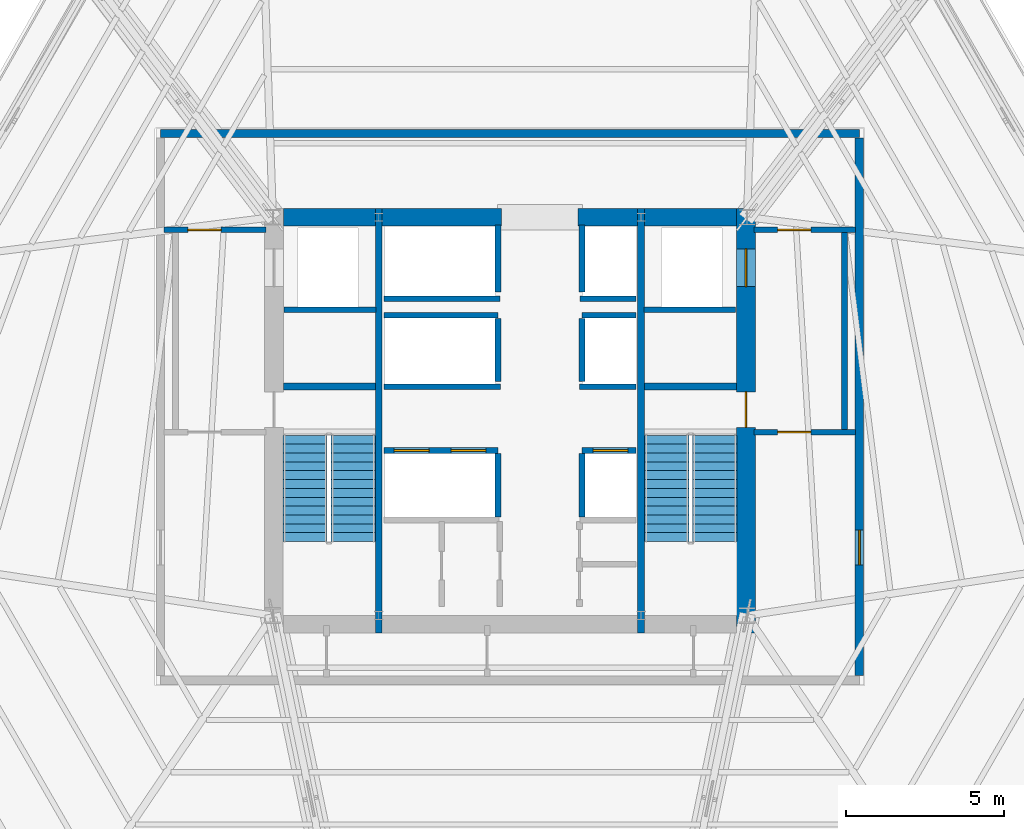
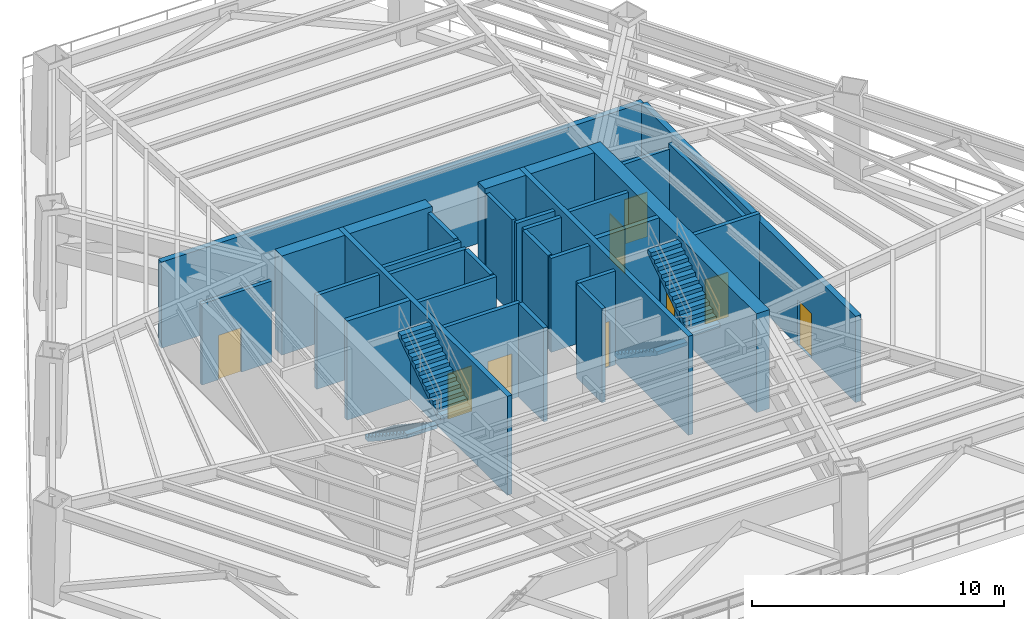
# One storey, part 8 of 13: 31 walls, 9 doors, 4 stair flights, 9 openings, 2 elements without a shape of their own.
"""IFC4 building model written with IfcOpenShell, lengths in metres."""

import ifcopenshell
import ifcopenshell.guid

model = None  # the IFC model being written
_history = None  # IfcOwnerHistory: only IFC2X3 demands one
_inside = {}  # id of a spatial element -> (the spatial element, [elements in it])
_under = {}  # id of a project, library or spatial element -> (it, [spatial elements below it])
_declared = {}  # id of a project -> (the project, [libraries it declares])
_typed = {}  # id of a type object -> (the type object, [elements of that type])
_made_of = {}  # id of a material, layer set ... -> (it, [elements and type objects made of it])


def new_model(schema):
    """Start an empty IFC model of exactly this schema.

    Asked for "IFC4X3", IfcOpenShell would pick the latest addendum, in which some entities
    have other attributes; the version numbers below select the first issue.
    IFC2X3 requires an IfcOwnerHistory on every rooted entity: one is made here for all.
    """
    global model, _history
    if schema == "IFC4X3":
        model = ifcopenshell.file(schema_version=(4, 3, 0, 0))
    else:
        model = ifcopenshell.file(schema=schema)
    _inside.clear()
    _under.clear()
    _declared.clear()
    _typed.clear()
    _made_of.clear()
    _history = None
    if model.schema == "IFC2X3":
        org = make("IfcOrganization", Name="unknown")
        user = make(
            "IfcPersonAndOrganization",
            ThePerson=make("IfcPerson", FamilyName="unknown"),
            TheOrganization=org,
        )
        app = make(
            "IfcApplication",
            ApplicationDeveloper=org,
            Version="unknown",
            ApplicationFullName="unknown",
            ApplicationIdentifier="unknown",
        )
        _history = make(
            "IfcOwnerHistory",
            OwningUser=user,
            OwningApplication=app,
            ChangeAction="ADDED",
            CreationDate=0,
        )
    return model


def make(cls, **values):
    """One entity of the class cls with the attributes given. An attribute that is None is left unset."""
    return model.create_entity(
        cls, **{name: value for name, value in values.items() if value is not None}
    )


def rooted(cls, **values):
    """An entity with a GlobalId (a new one), such as an element, a storey or a relation."""
    return make(cls, GlobalId=ifcopenshell.guid.new(), OwnerHistory=_history, **values)


def si_unit(unit_type, name, prefix=None):
    """IfcSIUnit, for example si_unit("LENGTHUNIT", "METRE", prefix="MILLI")."""
    return make("IfcSIUnit", UnitType=unit_type, Prefix=prefix, Name=name)


def assignment(units):
    """IfcUnitAssignment: the units of a project."""
    return None if units is None else make("IfcUnitAssignment", Units=units)


def point(xyz):
    """IfcCartesianPoint."""
    return None if xyz is None else make("IfcCartesianPoint", Coordinates=xyz)


def direction(xyz):
    """IfcDirection."""
    return None if xyz is None else make("IfcDirection", DirectionRatios=xyz)


def frame(location, z_axis=None, x_axis=None):
    """IfcAxis2Placement3D, a coordinate frame: its origin and axes. An axis left out is left unset."""
    return make(
        "IfcAxis2Placement3D",
        Location=point(location),
        Axis=direction(z_axis),
        RefDirection=direction(x_axis),
    )


def frame_2d(location, x_axis=None):
    """IfcAxis2Placement2D, a coordinate frame in the plane: its origin and x axis."""
    return make(
        "IfcAxis2Placement2D", Location=point(location), RefDirection=direction(x_axis)
    )


def origin():
    """The frame at (0, 0, 0) with its axes left unset."""
    return frame((0.0, 0.0, 0.0))


def place(relative_to, where):
    """IfcLocalPlacement: puts the frame where relative to a parent placement (None: the world)."""
    return make(
        "IfcLocalPlacement", PlacementRelTo=relative_to, RelativePlacement=where
    )


def context(
    kind, dimensions, precision=None, world=None, true_north=None, identifier=None
):
    """IfcGeometricRepresentationContext, for example the 3D "Model" context."""
    return make(
        "IfcGeometricRepresentationContext",
        ContextIdentifier=identifier,
        ContextType=kind,
        CoordinateSpaceDimension=dimensions,
        Precision=precision,
        WorldCoordinateSystem=world,
        TrueNorth=true_north,
    )


def subcontext(parent, identifier, kind, view, scale=None):
    """IfcGeometricRepresentationSubContext, for example "Body" below "Model"."""
    return make(
        "IfcGeometricRepresentationSubContext",
        ContextIdentifier=identifier,
        ContextType=kind,
        ParentContext=parent,
        TargetScale=scale,
        TargetView=view,
    )


def project(units=None, contexts=None):
    """IfcProject with its units and contexts."""
    return rooted(
        "IfcProject",
        Name="project",
        RepresentationContexts=contexts,
        UnitsInContext=assignment(units),
    )


def spatial(cls, under=None, at=None, **own):
    """A site, building, storey or space (cls), placed at a placement, below another one or the project."""
    s = rooted(cls, ObjectPlacement=at, **own)
    if under is not None:
        _under.setdefault(under.id(), (under, []))[1].append(s)
    return s


def polyline(points):
    """IfcPolyline through the points."""
    return make("IfcPolyline", Points=[point(p) for p in points])


def profile(cls, at=None, kind="AREA", **sizes):
    """A parametric profile (cls). Its sizes go by their IFC names, for example OverallWidth=200.0."""
    return make(cls, ProfileType=kind, Position=at, **sizes)


def rectangle(**sizes):
    """IfcRectangleProfileDef."""
    return profile("IfcRectangleProfileDef", **sizes)


def outline(outer, holes=None, kind="AREA"):
    """IfcArbitraryClosedProfileDef: a profile drawn as a closed curve; with holes, ...WithVoids."""
    if holes is None:
        return make("IfcArbitraryClosedProfileDef", ProfileType=kind, OuterCurve=outer)
    return make(
        "IfcArbitraryProfileDefWithVoids",
        ProfileType=kind,
        OuterCurve=outer,
        InnerCurves=holes,
    )


def extrude(swept, where, along, depth):
    """IfcExtrudedAreaSolid: the profile swept, set in the frame where, extruded along a direction by depth."""
    return make(
        "IfcExtrudedAreaSolid",
        SweptArea=swept,
        Position=where,
        ExtrudedDirection=direction(along),
        Depth=depth,
    )


def shape(context_of_items, identifier, shape_type, items):
    """IfcShapeRepresentation: the items that make up one representation, for example the "Body"."""
    return make(
        "IfcShapeRepresentation",
        ContextOfItems=context_of_items,
        RepresentationIdentifier=identifier,
        RepresentationType=shape_type,
        Items=items,
    )


def material(Name=None, Category=None):
    """IfcMaterial."""
    return make("IfcMaterial", Name=Name, Category=Category)


def layer(
    of_material, thickness, ventilated=None, Name=None, Category=None, Priority=None
):
    """IfcMaterialLayer: one layer of a wall or slab, of a material (None: an air gap)."""
    return make(
        "IfcMaterialLayer",
        Material=of_material,
        LayerThickness=thickness,
        IsVentilated=ventilated,
        Name=Name,
        Category=Category,
        Priority=Priority,
    )


def layer_set(layers, Name=None):
    """IfcMaterialLayerSet."""
    return make("IfcMaterialLayerSet", MaterialLayers=layers, LayerSetName=Name)


def made_of(thing, what):
    """Note that an element or type object is made of a material, layer set ...; save() writes the relation."""
    if what is not None:
        _made_of.setdefault(what.id(), (what, []))[1].append(thing)
    return thing


def type_object(cls, material=None, **own):
    """A type object (cls), such as IfcWallType, which elements share."""
    return made_of(rooted(cls, **own), material)


def element(
    cls,
    number,
    at=None,
    inside=None,
    cuts=None,
    type_object=None,
    material=None,
    context=None,
    identifier="Body",
    shape_type=None,
    held_by="IfcProductDefinitionShape",
    body=None,
    shapes=None,
    **own,
):
    """One element of the class cls, such as IfcWall. Its Tag is "e" and its number.

    at: its placement. inside: the storey or other place that contains it. cuts: it is an
    opening in that element (IfcRelVoidsElement). A single representation is given by context,
    identifier, shape_type and body (its items); several are given by shapes. held_by: the class
    of the entity that holds the representations. save() writes the other relations.
    """
    e = rooted(cls, Tag="e%d" % number, ObjectPlacement=at, **own)
    if body is not None:
        shapes = [shape(context, identifier, shape_type, body)]
    if shapes is not None:
        e.Representation = make(held_by, Representations=shapes)
    if inside is not None:
        _inside.setdefault(inside.id(), (inside, []))[1].append(e)
    if cuts is not None:
        rooted(
            "IfcRelVoidsElement", RelatingBuildingElement=cuts, RelatedOpeningElement=e
        )
    if type_object is not None:
        _typed.setdefault(type_object.id(), (type_object, []))[1].append(e)
    return made_of(e, material)


def fill(opening, filler):
    """IfcRelFillsElement: the door or window that sits in an opening."""
    return rooted(
        "IfcRelFillsElement",
        RelatingOpeningElement=opening,
        RelatedBuildingElement=filler,
    )


def aggregate(whole, parts):
    """IfcRelAggregates: a whole, such as a stair, and the parts it consists of."""
    return rooted("IfcRelAggregates", RelatingObject=whole, RelatedObjects=parts)


def save(model, path):
    """Write the relations noted so far, then the file.

    IfcRelAggregates (storeys below a building ...), IfcRelContainedInSpatialStructure (elements
    in a storey), IfcRelDefinesByType, IfcRelAssociatesMaterial and IfcRelDeclares: one each for
    every whole, place, type object, material and project.
    """
    for whole, parts in _under.values():
        aggregate(whole, parts)
    for where, things in _inside.values():
        rooted(
            "IfcRelContainedInSpatialStructure",
            RelatedElements=things,
            RelatingStructure=where,
        )
    for kind, things in _typed.values():
        rooted("IfcRelDefinesByType", RelatedObjects=things, RelatingType=kind)
    for what, things in _made_of.values():
        rooted("IfcRelAssociatesMaterial", RelatedObjects=things, RelatingMaterial=what)
    for by, libraries in _declared.values():
        rooted("IfcRelDeclares", RelatingContext=by, RelatedDefinitions=libraries)
    model.write(path)


model = new_model("IFC4")

# Units and contexts
model_context = context("Model", 3, precision=1e-05, world=origin(), true_north=direction((0.0, 1.0)))
body_context = subcontext(model_context, "Body", "Model", "MODEL_VIEW")
ifc_project = project(units=[si_unit("LENGTHUNIT", "METRE"), si_unit("AREAUNIT", "SQUARE_METRE"), si_unit("VOLUMEUNIT", "CUBIC_METRE"), si_unit("PLANEANGLEUNIT", "RADIAN"), si_unit("MASSUNIT", "GRAM", prefix="KILO")], contexts=[model_context])

# Site, building, storey
site_placement = place(None, origin())
site = spatial("IfcSite", under=ifc_project, at=site_placement, CompositionType="ELEMENT")
building_placement = place(site_placement, origin())
building = spatial("IfcBuilding", under=site, at=building_placement, Name="Caelisora Broadcast Tower", CompositionType="ELEMENT")
storey_placement = place(building_placement, frame((0.0, 0.0, 75.050048828125)))
storey = spatial("IfcBuildingStorey", under=building, at=storey_placement, Name="L19", CompositionType="ELEMENT", Elevation=75.050048828125)

# Wall, openings, doors
ifc_material_1 = material(Name="Concrete 65 MPa (AS 3600 S65)", Category="concrete")
ifc_layer_1 = layer(ifc_material_1, 0.60009765625, Name="Concrete 65 MPa (AS 3600 S65)")
ifc_layer_set_1 = layer_set([ifc_layer_1], Name="Concrete 65 MPa (AS 3600 S65)")
wall_type_1 = type_object("IfcWallType", Name="CW1", PredefinedType="SHEAR", material=ifc_layer_set_1)
wall_1_placement = place(storey_placement, frame((45.4599609375, 16.85009765625, 0.0), z_axis=(0.0, 0.0, 1.0), x_axis=(0.0, 1.0, 0.0)))
wall_1 = element("IfcWall", 1, at=wall_1_placement, inside=storey, type_object=wall_type_1, Name="L19 core shear wall CW1", PredefinedType="SHEAR", context=body_context, shape_type="SweptSolid", body=[
    extrude(rectangle(XDim=13.4248046875, YDim=0.60009765625, at=frame_2d((6.71240234375, 0.0))), origin(), (0.0, 0.0, 1.0), 4.800048828125),
])
opening_1_placement = place(wall_1_placement, frame((6.5, 0.0, 0.0)))
opening_1 = element("IfcOpeningElement", 2, at=opening_1_placement, cuts=wall_1, Name="Opening FD04", PredefinedType="OPENING", context=body_context, shape_type="SweptSolid", body=[
    extrude(rectangle(XDim=1.1201171875, YDim=2.14990234375, at=frame_2d((0.56005859375, 1.074951171875))), frame((0.0, 0.31201171875, 0.0), z_axis=(0.0, -1.0, 0.0), x_axis=(1.0, 0.0, 0.0)), (0.0, 0.0, 1.0), 0.6240234375),
])
opening_2_placement = place(wall_1_placement, frame((10.949951171875, 0.0, 0.0)))
opening_2 = element("IfcOpeningElement", 3, at=opening_2_placement, cuts=wall_1, Name="Opening LD04", PredefinedType="OPENING", context=body_context, shape_type="SweptSolid", body=[
    extrude(rectangle(XDim=1.199951171875, YDim=2.199951171875, at=frame_2d((0.60009765625, 1.10009765625))), frame((0.0, 0.31201171875, 0.0), z_axis=(0.0, -1.0, 0.0), x_axis=(1.0, 0.0, 0.0)), (0.0, 0.0, 1.0), 0.6240234375),
])
ifc_material_2 = material(Name="Pressurised Fire-Isolated Stair Door", Category="steel")
door_type_1 = type_object("IfcDoorType", Name="FD04", OperationType="NOTDEFINED", PredefinedType="DOOR", material=ifc_material_2)
door_1_placement = place(opening_1_placement, origin())
door_1 = element("IfcDoor", 4, at=door_1_placement, inside=storey, type_object=door_type_1, Name="L19 door FD04 (L19-DR-ST2)", OperationType="SINGLE_SWING_RIGHT", OverallHeight=2.14990234375, OverallWidth=1.1201171875, PredefinedType="DOOR", context=body_context, shape_type="SweptSolid", body=[
    extrude(rectangle(XDim=1.1201171875, YDim=2.14990234375, at=frame_2d((0.56005859375, 1.074951171875))), frame((0.0, 0.02490234375, 0.0), z_axis=(0.0, -1.0, 0.0), x_axis=(1.0, 0.0, 0.0)), (0.0, 0.0, 1.0), 0.050048828125),
])
fill(opening_1, door_1)
ifc_material_3 = material(Name="Emergency Firefighting Lift Sliding Landing Door", Category="steel")
door_type_2 = type_object("IfcDoorType", Name="LD04", OperationType="NOTDEFINED", PredefinedType="DOOR", material=ifc_material_3)
door_2_placement = place(opening_2_placement, origin())
door_2 = element("IfcDoor", 5, at=door_2_placement, inside=storey, type_object=door_type_2, Name="L19 door LD04 (L19-LD-FFL2)", OperationType="SLIDING_TO_RIGHT", OverallHeight=2.199951171875, OverallWidth=1.199951171875, PredefinedType="DOOR", context=body_context, shape_type="SweptSolid", body=[
    extrude(rectangle(XDim=1.199951171875, YDim=2.199951171875, at=frame_2d((0.60009765625, 1.10009765625))), frame((0.0, 0.02490234375, 0.0), z_axis=(0.0, -1.0, 0.0), x_axis=(1.0, 0.0, 0.0)), (0.0, 0.0, 1.0), 0.050048828125),
])
fill(opening_2, door_2)

# Walls
ifc_layer_2 = layer(ifc_material_1, 0.550048828125, Name="Concrete 65 MPa (AS 3600 S65)")
ifc_layer_set_2 = layer_set([ifc_layer_2], Name="Concrete 65 MPa (AS 3600 S65)")
wall_type_2 = type_object("IfcWallType", Name="CW4", PredefinedType="SHEAR", material=ifc_layer_set_2)
wall_2_placement = place(storey_placement, frame((30.840087890625, 30.0, 0.0), z_axis=(0.0, 0.0, 1.0), x_axis=(1.0, 0.0, 0.0)))
element("IfcWall", 6, at=wall_2_placement, inside=storey, type_object=wall_type_2, Name="L19 core shear wall CW4", PredefinedType="SHEAR", context=body_context, shape_type="SweptSolid", body=[
    extrude(rectangle(XDim=2.89990234375, YDim=0.550048828125, at=frame_2d((1.449951171875, 0.0))), origin(), (0.0, 0.0, 1.0), 4.800048828125),
])
wall_3_placement = place(storey_placement, frame((33.9599609375, 30.0, 0.0), z_axis=(0.0, 0.0, 1.0), x_axis=(1.0, 0.0, 0.0)))
element("IfcWall", 7, at=wall_3_placement, inside=storey, type_object=wall_type_2, Name="L19 core shear wall CW4", PredefinedType="SHEAR", context=body_context, shape_type="SweptSolid", body=[
    extrude(rectangle(XDim=3.780029296875, YDim=0.550048828125, at=frame_2d((1.89013671875, 0.0))), origin(), (0.0, 0.0, 1.0), 4.800048828125),
])
wall_4_placement = place(storey_placement, frame((40.159912109375, 30.0, 0.0), z_axis=(0.0, 0.0, 1.0), x_axis=(1.0, 0.0, 0.0)))
element("IfcWall", 8, at=wall_4_placement, inside=storey, type_object=wall_type_2, Name="L19 core shear wall CW4", PredefinedType="SHEAR", context=body_context, shape_type="SweptSolid", body=[
    extrude(rectangle(XDim=1.880126953125, YDim=0.550048828125, at=frame_2d((0.93994140625, 0.0))), origin(), (0.0, 0.0, 1.0), 4.800048828125),
])
wall_5_placement = place(storey_placement, frame((42.260009765625, 30.0, 0.0), z_axis=(0.0, 0.0, 1.0), x_axis=(1.0, 0.0, 0.0)))
element("IfcWall", 9, at=wall_5_placement, inside=storey, type_object=wall_type_2, Name="L19 core shear wall CW4", PredefinedType="SHEAR", context=body_context, shape_type="SweptSolid", body=[
    extrude(rectangle(XDim=2.89990234375, YDim=0.550048828125, at=frame_2d((1.449951171875, 0.0))), origin(), (0.0, 0.0, 1.0), 4.800048828125),
])
ifc_material_4 = material(Name="Concrete 50 MPa (AS 3600 S50)", Category="concrete")
ifc_layer_3 = layer(ifc_material_4, 0.219970703125, Name="Concrete 50 MPa (AS 3600 S50)")
ifc_layer_set_3 = layer_set([ifc_layer_3], Name="Concrete 50 MPa (AS 3600 S50)")
wall_type_3 = type_object("IfcWallType", Name="CW7", PredefinedType="SHEAR", material=ifc_layer_set_3)
for number, where, z_axis, x_axis, name in (
    (10, (33.85009765625, 16.85009765625, 0.0), (0.0, 0.0, 1.0), (0.0, 1.0, 0.0), "L19 core shear wall CW7"),
    (11, (42.14990234375, 16.85009765625, 0.0), (0.0, 0.0, 1.0), (0.0, 1.0, 0.0), "L19 core shear wall CW7"),
):
    element("IfcWall", number, at=place(storey_placement, frame(where, z_axis=z_axis, x_axis=x_axis)), inside=storey, type_object=wall_type_3, Name=name, PredefinedType="SHEAR", context=body_context, shape_type="SweptSolid", body=[
        extrude(rectangle(XDim=13.4248046875, YDim=0.219970703125, at=frame_2d((6.71240234375, 0.0))), origin(), (0.0, 0.0, 1.0), 4.800048828125),
    ])
for number, where, z_axis, x_axis, name in (
    (12, (30.840087890625, 24.639892578125, 0.0), (0.0, 0.0, 1.0), (1.0, 0.0, 0.0), "L19 core shear wall CW7"),
    (13, (42.260009765625, 24.639892578125, 0.0), (0.0, 0.0, 1.0), (1.0, 0.0, 0.0), "L19 core shear wall CW7"),
):
    element("IfcWall", number, at=place(storey_placement, frame(where, z_axis=z_axis, x_axis=x_axis)), inside=storey, type_object=wall_type_3, Name=name, PredefinedType="SHEAR", context=body_context, shape_type="SweptSolid", body=[
        extrude(rectangle(XDim=2.89990234375, YDim=0.219970703125, at=frame_2d((1.449951171875, 0.0))), origin(), (0.0, 0.0, 1.0), 4.800048828125),
    ])
ifc_material_5 = material(Name="Fire-Rated Acoustic Plant Enclosure Wall", Category="masonry")
ifc_layer_4 = layer(ifc_material_5, 0.260009765625, Name="Fire-Rated Acoustic Plant Enclosure Wall")
ifc_layer_set_4 = layer_set([ifc_layer_4], Name="Fire-Rated Acoustic Plant Enclosure Wall")
wall_type_4 = type_object("IfcWallType", Name="EW2", PredefinedType="STANDARD", material=ifc_layer_set_4)
wall_6_placement = place(storey_placement, frame((26.949951171875, 32.64990234375, 0.0), z_axis=(0.0, 0.0, 1.0), x_axis=(1.0, 0.0, 0.0)))
element("IfcWall", 14, at=wall_6_placement, inside=storey, type_object=wall_type_4, Name="L19 exterior envelope wall EW2", PredefinedType="STANDARD", context=body_context, shape_type="SweptSolid", body=[
    extrude(rectangle(XDim=22.10009765625, YDim=0.260009765625, at=frame_2d((11.050048828125, 0.0))), origin(), (0.0, 0.0, 1.0), 4.17626953125),
])

# Wall, opening, door
wall_7_placement = place(storey_placement, frame((49.050048828125, 15.5, 0.0), z_axis=(0.0, 0.0, 1.0), x_axis=(0.0, 1.0, 0.0)))
wall_7 = element("IfcWall", 15, at=wall_7_placement, inside=storey, type_object=wall_type_4, Name="L19 exterior envelope wall EW2", PredefinedType="STANDARD", context=body_context, shape_type="SweptSolid", body=[
    extrude(rectangle(XDim=17.0, YDim=0.260009765625, at=frame_2d((8.5, 0.0))), origin(), (0.0, 0.0, 1.0), 4.17626953125),
])
opening_3_placement = place(wall_7_placement, frame((3.5, 0.0, 0.0)))
opening_3 = element("IfcOpeningElement", 16, at=opening_3_placement, cuts=wall_7, Name="Opening D04", PredefinedType="OPENING", context=body_context, shape_type="SweptSolid", body=[
    extrude(rectangle(XDim=1.10009765625, YDim=2.199951171875, at=frame_2d((0.550048828125, 1.10009765625))), frame((0.0, 0.14208984375, 0.0), z_axis=(0.0, -1.0, 0.0), x_axis=(1.0, 0.0, 0.0)), (0.0, 0.0, 1.0), 0.283935546875),
])
ifc_material_6 = material(Name="Aluminium Framed Double-Glazed Terrace Door", Category="aluminium")
door_type_3 = type_object("IfcDoorType", Name="D04", OperationType="NOTDEFINED", PredefinedType="DOOR", material=ifc_material_6)
door_3_placement = place(opening_3_placement, origin())
door_3 = element("IfcDoor", 17, at=door_3_placement, inside=storey, type_object=door_type_3, Name="L19 door D04 (L19-DR-REF-E)", OperationType="SINGLE_SWING_RIGHT", OverallHeight=2.199951171875, OverallWidth=1.10009765625, PredefinedType="DOOR", context=body_context, shape_type="SweptSolid", body=[
    extrude(rectangle(XDim=1.10009765625, YDim=2.199951171875, at=frame_2d((0.550048828125, 1.10009765625))), frame((0.0, 0.02490234375, 0.0), z_axis=(0.0, -1.0, 0.0), x_axis=(1.0, 0.0, 0.0)), (0.0, 0.0, 1.0), 0.050048828125),
])
fill(opening_3, door_3)

# Wall, openings, doors
ifc_material_7 = material(Name="Fire-Rated Gypsum Shaft and Compartment Wall", Category="gypsum")
ifc_layer_5 = layer(ifc_material_7, 0.179931640625, Name="Fire-Rated Gypsum Shaft and Compartment Wall")
ifc_layer_set_5 = layer_set([ifc_layer_5], Name="Fire-Rated Gypsum Shaft and Compartment Wall")
wall_type_5 = type_object("IfcWallType", Name="PW2", PredefinedType="PARTITIONING", material=ifc_layer_set_5)
wall_8_placement = place(storey_placement, frame((34.02001953125, 22.6201171875, 0.0), z_axis=(0.0, 0.0, 1.0), x_axis=(1.0, 0.0, 0.0)))
wall_8 = element("IfcWall", 18, at=wall_8_placement, inside=storey, type_object=wall_type_5, Name="L19 fire compartment wall PW2", PredefinedType="PARTITIONING", context=body_context, shape_type="SweptSolid", body=[
    extrude(rectangle(XDim=3.60009765625, YDim=0.179931640625, at=frame_2d((1.800048828125, 0.0))), origin(), (0.0, 0.0, 1.0), 4.550048828125),
])
opening_4_placement = place(wall_8_placement, frame((0.320068359375, 0.0, 0.0)))
opening_4 = element("IfcOpeningElement", 19, at=opening_4_placement, cuts=wall_8, Name="Opening LD01", PredefinedType="OPENING", context=body_context, shape_type="SweptSolid", body=[
    extrude(rectangle(XDim=1.10009765625, YDim=2.199951171875, at=frame_2d((0.550048828125, 1.10009765625))), frame((0.0, 0.10205078125, 0.0), z_axis=(0.0, -1.0, 0.0), x_axis=(1.0, 0.0, 0.0)), (0.0, 0.0, 1.0), 0.203857421875),
])
opening_5_placement = place(wall_8_placement, frame((2.1201171875, 0.0, 0.0)))
opening_5 = element("IfcOpeningElement", 20, at=opening_5_placement, cuts=wall_8, Name="Opening LD01", PredefinedType="OPENING", context=body_context, shape_type="SweptSolid", body=[
    extrude(rectangle(XDim=1.10009765625, YDim=2.199951171875, at=frame_2d((0.550048828125, 1.10009765625))), frame((0.0, 0.10205078125, 0.0), z_axis=(0.0, -1.0, 0.0), x_axis=(1.0, 0.0, 0.0)), (0.0, 0.0, 1.0), 0.203857421875),
])
ifc_material_8 = material(Name="Stainless Steel Centre-Parting Lift Landing Door", Category="steel")
door_type_4 = type_object("IfcDoorType", Name="LD01", OperationType="NOTDEFINED", PredefinedType="DOOR", material=ifc_material_8)
door_4_placement = place(opening_4_placement, origin())
door_4 = element("IfcDoor", 21, at=door_4_placement, inside=storey, type_object=door_type_4, Name="L19 door LD01 (L19-LD-PLL1)", OperationType="SLIDING_TO_LEFT", OverallHeight=2.199951171875, OverallWidth=1.10009765625, PredefinedType="DOOR", context=body_context, shape_type="SweptSolid", body=[
    extrude(rectangle(XDim=1.10009765625, YDim=2.199951171875, at=frame_2d((0.550048828125, 1.10009765625))), frame((0.0, 0.02490234375, 0.0), z_axis=(0.0, -1.0, 0.0), x_axis=(1.0, 0.0, 0.0)), (0.0, 0.0, 1.0), 0.050048828125),
])
fill(opening_4, door_4)
door_5_placement = place(opening_5_placement, origin())
door_5 = element("IfcDoor", 22, at=door_5_placement, inside=storey, type_object=door_type_4, Name="L19 door LD01 (L19-LD-PLL2)", OperationType="SLIDING_TO_RIGHT", OverallHeight=2.199951171875, OverallWidth=1.10009765625, PredefinedType="DOOR", context=body_context, shape_type="SweptSolid", body=[
    extrude(rectangle(XDim=1.10009765625, YDim=2.199951171875, at=frame_2d((0.550048828125, 1.10009765625))), frame((0.0, 0.02490234375, 0.0), z_axis=(0.0, -1.0, 0.0), x_axis=(1.0, 0.0, 0.0)), (0.0, 0.0, 1.0), 0.050048828125),
])
fill(opening_5, door_5)

# Wall, opening, door
wall_9_placement = place(storey_placement, frame((40.280029296875, 22.6201171875, 0.0), z_axis=(0.0, 0.0, 1.0), x_axis=(1.0, 0.0, 0.0)))
wall_9 = element("IfcWall", 23, at=wall_9_placement, inside=storey, type_object=wall_type_5, Name="L19 fire compartment wall PW2", PredefinedType="PARTITIONING", context=body_context, shape_type="SweptSolid", body=[
    extrude(rectangle(XDim=1.699951171875, YDim=0.179931640625, at=frame_2d((0.85009765625, 0.0))), origin(), (0.0, 0.0, 1.0), 4.550048828125),
])
opening_6_placement = place(wall_9_placement, frame((0.35009765625, 0.0, 0.0)))
opening_6 = element("IfcOpeningElement", 24, at=opening_6_placement, cuts=wall_9, Name="Opening LD01", PredefinedType="OPENING", context=body_context, shape_type="SweptSolid", body=[
    extrude(rectangle(XDim=1.10009765625, YDim=2.199951171875, at=frame_2d((0.550048828125, 1.10009765625))), frame((0.0, 0.10205078125, 0.0), z_axis=(0.0, -1.0, 0.0), x_axis=(1.0, 0.0, 0.0)), (0.0, 0.0, 1.0), 0.203857421875),
])
door_6_placement = place(opening_6_placement, origin())
door_6 = element("IfcDoor", 25, at=door_6_placement, inside=storey, type_object=door_type_4, Name="L19 door LD01 (L19-LD-PLL3)", OperationType="SLIDING_TO_LEFT", OverallHeight=2.199951171875, OverallWidth=1.10009765625, PredefinedType="DOOR", context=body_context, shape_type="SweptSolid", body=[
    extrude(rectangle(XDim=1.10009765625, YDim=2.199951171875, at=frame_2d((0.550048828125, 1.10009765625))), frame((0.0, 0.02490234375, 0.0), z_axis=(0.0, -1.0, 0.0), x_axis=(1.0, 0.0, 0.0)), (0.0, 0.0, 1.0), 0.050048828125),
])
fill(opening_6, door_6)

# Walls
for number, where, z_axis, x_axis, name in (
    (26, (37.6201171875, 20.52001953125, 0.0), (0.0, 0.0, 1.0), (0.0, 1.0, 0.0), "L19 fire compartment wall PW2"),
    (27, (40.280029296875, 20.52001953125, 0.0), (0.0, 0.0, 1.0), (0.0, 1.0, 0.0), "L19 fire compartment wall PW2"),
):
    element("IfcWall", number, at=place(storey_placement, frame(where, z_axis=z_axis, x_axis=x_axis)), inside=storey, type_object=wall_type_5, Name=name, PredefinedType="PARTITIONING", context=body_context, shape_type="SweptSolid", body=[
        extrude(rectangle(XDim=2.0, YDim=0.179931640625, at=frame_2d((1.0, 0.0))), origin(), (0.0, 0.0, 1.0), 4.550048828125),
    ])
wall_10_placement = place(storey_placement, frame((34.02001953125, 26.89990234375, 0.0), z_axis=(0.0, 0.0, 1.0), x_axis=(1.0, 0.0, 0.0)))
element("IfcWall", 28, at=wall_10_placement, inside=storey, type_object=wall_type_5, Name="L19 fire compartment wall PW2", PredefinedType="PARTITIONING", context=body_context, shape_type="SweptSolid", body=[
    extrude(rectangle(XDim=3.60009765625, YDim=0.179931640625, at=frame_2d((1.800048828125, 0.0))), origin(), (0.0, 0.0, 1.0), 4.550048828125),
])
wall_11_placement = place(storey_placement, frame((40.280029296875, 26.89990234375, 0.0), z_axis=(0.0, 0.0, 1.0), x_axis=(1.0, 0.0, 0.0)))
element("IfcWall", 29, at=wall_11_placement, inside=storey, type_object=wall_type_5, Name="L19 fire compartment wall PW2", PredefinedType="PARTITIONING", context=body_context, shape_type="SweptSolid", body=[
    extrude(rectangle(XDim=1.699951171875, YDim=0.179931640625, at=frame_2d((0.85009765625, 0.0))), origin(), (0.0, 0.0, 1.0), 4.550048828125),
])
for number, where, z_axis, x_axis, name in (
    (30, (37.6201171875, 24.800048828125, 0.0), (0.0, 0.0, 1.0), (0.0, 1.0, 0.0), "L19 fire compartment wall PW2"),
    (31, (40.280029296875, 24.800048828125, 0.0), (0.0, 0.0, 1.0), (0.0, 1.0, 0.0), "L19 fire compartment wall PW2"),
):
    element("IfcWall", number, at=place(storey_placement, frame(where, z_axis=z_axis, x_axis=x_axis)), inside=storey, type_object=wall_type_5, Name=name, PredefinedType="PARTITIONING", context=body_context, shape_type="SweptSolid", body=[
        extrude(rectangle(XDim=2.0, YDim=0.179931640625, at=frame_2d((1.0, 0.0))), origin(), (0.0, 0.0, 1.0), 4.550048828125),
    ])
wall_12_placement = place(storey_placement, frame((34.02001953125, 24.639892578125, 0.0), z_axis=(0.0, 0.0, 1.0), x_axis=(1.0, 0.0, 0.0)))
element("IfcWall", 32, at=wall_12_placement, inside=storey, type_object=wall_type_5, Name="L19 fire compartment wall PW2", PredefinedType="PARTITIONING", context=body_context, shape_type="SweptSolid", body=[
    extrude(rectangle(XDim=3.679931640625, YDim=0.179931640625, at=frame_2d((1.83984375, 0.0))), origin(), (0.0, 0.0, 1.0), 4.550048828125),
])
wall_13_placement = place(storey_placement, frame((40.199951171875, 24.639892578125, 0.0), z_axis=(0.0, 0.0, 1.0), x_axis=(1.0, 0.0, 0.0)))
element("IfcWall", 33, at=wall_13_placement, inside=storey, type_object=wall_type_5, Name="L19 fire compartment wall PW2", PredefinedType="PARTITIONING", context=body_context, shape_type="SweptSolid", body=[
    extrude(rectangle(XDim=1.780029296875, YDim=0.179931640625, at=frame_2d((0.89013671875, 0.0))), origin(), (0.0, 0.0, 1.0), 4.550048828125),
])
wall_14_placement = place(storey_placement, frame((34.02001953125, 27.419921875, 0.0), z_axis=(0.0, 0.0, 1.0), x_axis=(1.0, 0.0, 0.0)))
element("IfcWall", 34, at=wall_14_placement, inside=storey, type_object=wall_type_5, Name="L19 fire compartment wall PW2", PredefinedType="PARTITIONING", context=body_context, shape_type="SweptSolid", body=[
    extrude(rectangle(XDim=3.659912109375, YDim=0.179931640625, at=frame_2d((1.830078125, 0.0))), origin(), (0.0, 0.0, 1.0), 4.550048828125),
])
wall_15_placement = place(storey_placement, frame((40.219970703125, 27.419921875, 0.0), z_axis=(0.0, 0.0, 1.0), x_axis=(1.0, 0.0, 0.0)))
element("IfcWall", 35, at=wall_15_placement, inside=storey, type_object=wall_type_5, Name="L19 fire compartment wall PW2", PredefinedType="PARTITIONING", context=body_context, shape_type="SweptSolid", body=[
    extrude(rectangle(XDim=1.760009765625, YDim=0.179931640625, at=frame_2d((0.8798828125, 0.0))), origin(), (0.0, 0.0, 1.0), 4.550048828125),
])
for number, where, z_axis, x_axis, name in (
    (36, (37.6201171875, 27.639892578125, 0.0), (0.0, 0.0, 1.0), (0.0, 1.0, 0.0), "L19 fire compartment wall PW2"),
    (37, (40.280029296875, 27.639892578125, 0.0), (0.0, 0.0, 1.0), (0.0, 1.0, 0.0), "L19 fire compartment wall PW2"),
):
    element("IfcWall", number, at=place(storey_placement, frame(where, z_axis=z_axis, x_axis=x_axis)), inside=storey, type_object=wall_type_5, Name=name, PredefinedType="PARTITIONING", context=body_context, shape_type="SweptSolid", body=[
        extrude(rectangle(XDim=2.110107421875, YDim=0.179931640625, at=frame_2d((1.05517578125, 0.0))), origin(), (0.0, 0.0, 1.0), 4.550048828125),
    ])

# Wall, opening, door
wall_16_placement = place(storey_placement, frame((27.06494140625, 29.60009765625, 0.0), z_axis=(0.0, 0.0, 1.0), x_axis=(1.0, 0.0, 0.0)))
wall_16 = element("IfcWall", 38, at=wall_16_placement, inside=storey, type_object=wall_type_5, Name="L19 fire compartment wall PW2", PredefinedType="PARTITIONING", context=body_context, shape_type="SweptSolid", body=[
    extrude(rectangle(XDim=3.215087890625, YDim=0.179931640625, at=frame_2d((1.607421875, 0.0))), origin(), (0.0, 0.0, 1.0), 3.932861328125),
])
opening_7_placement = place(wall_16_placement, frame((0.75, 0.0, 0.0)))
opening_7 = element("IfcOpeningElement", 39, at=opening_7_placement, cuts=wall_16, Name="Opening FD02", PredefinedType="OPENING", context=body_context, shape_type="SweptSolid", body=[
    extrude(rectangle(XDim=1.050048828125, YDim=2.14990234375, at=frame_2d((0.52490234375, 1.074951171875))), frame((0.0, 0.10205078125, 0.0), z_axis=(0.0, -1.0, 0.0), x_axis=(1.0, 0.0, 0.0)), (0.0, 0.0, 1.0), 0.203857421875),
])
ifc_material_9 = material(Name="Single-Leaf Steel Fire Lobby Door", Category="steel")
door_type_5 = type_object("IfcDoorType", Name="FD02", OperationType="NOTDEFINED", PredefinedType="DOOR", material=ifc_material_9)
door_7_placement = place(opening_7_placement, origin())
door_7 = element("IfcDoor", 40, at=door_7_placement, inside=storey, type_object=door_type_5, Name="L19 door FD02 (L19-DR-P03D1)", OperationType="SINGLE_SWING_LEFT", OverallHeight=2.14990234375, OverallWidth=1.050048828125, PredefinedType="DOOR", context=body_context, shape_type="SweptSolid", body=[
    extrude(rectangle(XDim=1.050048828125, YDim=2.14990234375, at=frame_2d((0.52490234375, 1.074951171875))), frame((0.0, 0.02490234375, 0.0), z_axis=(0.0, -1.0, 0.0), x_axis=(1.0, 0.0, 0.0)), (0.0, 0.0, 1.0), 0.050048828125),
])
fill(opening_7, door_7)

# Wall
wall_17_placement = place(storey_placement, frame((48.580078125, 23.199951171875, 0.0), z_axis=(0.0, 0.0, 1.0), x_axis=(0.0, 1.0, 0.0)))
element("IfcWall", 41, at=wall_17_placement, inside=storey, type_object=wall_type_5, Name="L19 fire compartment wall PW2", PredefinedType="PARTITIONING", context=body_context, shape_type="SweptSolid", body=[
    extrude(rectangle(XDim=6.400146484375, YDim=0.179931640625, at=frame_2d((3.2001953125, 0.0))), origin(), (0.0, 0.0, 1.0), 4.17626953125),
])

# Wall, opening, door
wall_18_placement = place(storey_placement, frame((45.719970703125, 23.199951171875, 0.0), z_axis=(0.0, 0.0, 1.0), x_axis=(1.0, 0.0, 0.0)))
wall_18 = element("IfcWall", 42, at=wall_18_placement, inside=storey, type_object=wall_type_5, Name="L19 fire compartment wall PW2", PredefinedType="PARTITIONING", context=body_context, shape_type="SweptSolid", body=[
    extrude(rectangle(XDim=3.215087890625, YDim=0.179931640625, at=frame_2d((1.607421875, 0.0))), origin(), (0.0, 0.0, 1.0), 4.550048828125),
])
opening_8_placement = place(wall_18_placement, frame((0.75, 0.0, 0.0)))
opening_8 = element("IfcOpeningElement", 43, at=opening_8_placement, cuts=wall_18, Name="Opening FD02", PredefinedType="OPENING", context=body_context, shape_type="SweptSolid", body=[
    extrude(rectangle(XDim=1.050048828125, YDim=2.14990234375, at=frame_2d((0.52490234375, 1.074951171875))), frame((0.0, 0.10205078125, 0.0), z_axis=(0.0, -1.0, 0.0), x_axis=(1.0, 0.0, 0.0)), (0.0, 0.0, 1.0), 0.203857421875),
])
door_8_placement = place(opening_8_placement, origin())
door_8 = element("IfcDoor", 44, at=door_8_placement, inside=storey, type_object=door_type_5, Name="L19 door FD02 (L19-DR-P05D1)", OperationType="SINGLE_SWING_RIGHT", OverallHeight=2.14990234375, OverallWidth=1.050048828125, PredefinedType="DOOR", context=body_context, shape_type="SweptSolid", body=[
    extrude(rectangle(XDim=1.050048828125, YDim=2.14990234375, at=frame_2d((0.52490234375, 1.074951171875))), frame((0.0, 0.02490234375, 0.0), z_axis=(0.0, -1.0, 0.0), x_axis=(1.0, 0.0, 0.0)), (0.0, 0.0, 1.0), 0.050048828125),
])
fill(opening_8, door_8)

wall_19_placement = place(storey_placement, frame((45.719970703125, 29.60009765625, 0.0), z_axis=(0.0, 0.0, 1.0), x_axis=(1.0, 0.0, 0.0)))
wall_19 = element("IfcWall", 45, at=wall_19_placement, inside=storey, type_object=wall_type_5, Name="L19 fire compartment wall PW2", PredefinedType="PARTITIONING", context=body_context, shape_type="SweptSolid", body=[
    extrude(rectangle(XDim=3.215087890625, YDim=0.179931640625, at=frame_2d((1.607421875, 0.0))), origin(), (0.0, 0.0, 1.0), 3.932861328125),
])
opening_9_placement = place(wall_19_placement, frame((0.75, 0.0, 0.0)))
opening_9 = element("IfcOpeningElement", 46, at=opening_9_placement, cuts=wall_19, Name="Opening FD02", PredefinedType="OPENING", context=body_context, shape_type="SweptSolid", body=[
    extrude(rectangle(XDim=1.050048828125, YDim=2.14990234375, at=frame_2d((0.52490234375, 1.074951171875))), frame((0.0, 0.10205078125, 0.0), z_axis=(0.0, -1.0, 0.0), x_axis=(1.0, 0.0, 0.0)), (0.0, 0.0, 1.0), 0.203857421875),
])
door_9_placement = place(opening_9_placement, origin())
door_9 = element("IfcDoor", 47, at=door_9_placement, inside=storey, type_object=door_type_5, Name="L19 door FD02 (L19-DR-P06D1)", OperationType="SINGLE_SWING_LEFT", OverallHeight=2.14990234375, OverallWidth=1.050048828125, PredefinedType="DOOR", context=body_context, shape_type="SweptSolid", body=[
    extrude(rectangle(XDim=1.050048828125, YDim=2.14990234375, at=frame_2d((0.52490234375, 1.074951171875))), frame((0.0, 0.02490234375, 0.0), z_axis=(0.0, -1.0, 0.0), x_axis=(1.0, 0.0, 0.0)), (0.0, 0.0, 1.0), 0.050048828125),
])
fill(opening_9, door_9)

# Walls
for number, where, z_axis, x_axis, name in (
    (48, (30.860107421875, 27.070068359375, 0.0), (0.0, 0.0, 1.0), (1.0, 0.0, 0.0), "L19 fire compartment wall PW2"),
    (49, (42.239990234375, 27.070068359375, 0.0), (0.0, 0.0, 1.0), (1.0, 0.0, 0.0), "L19 fire compartment wall PW2"),
):
    element("IfcWall", number, at=place(storey_placement, frame(where, z_axis=z_axis, x_axis=x_axis)), inside=storey, type_object=wall_type_5, Name=name, PredefinedType="PARTITIONING", context=body_context, shape_type="SweptSolid", body=[
        extrude(rectangle(XDim=2.89990234375, YDim=0.179931640625, at=frame_2d((1.449951171875, 0.0))), origin(), (0.0, 0.0, 1.0), 4.550048828125),
    ])

# Stair, stair flights
ifc_material_10 = material(Name="Concrete 40 MPa (AS 3600 N40)", Category="concrete")
stair_type_1 = type_object("IfcStairType", Name="ST-1", PredefinedType="HALF_TURN_STAIR", material=ifc_material_10)
stair_1_placement = place(storey_placement, origin())
stair_1 = element("IfcStair", 50, at=stair_1_placement, inside=storey, type_object=stair_type_1, Name="L19 West Fire-Isolated Tower Stair", PredefinedType="HALF_TURN_STAIR")
stair_flight_type = type_object("IfcStairFlightType", Name="STF-2", PredefinedType="STRAIGHT", material=ifc_material_10)
stair_flight_1_placement = place(storey_placement, frame((31.52001953125, 23.10009765625, 0.0), z_axis=(0.0, 0.0, 1.0), x_axis=(0.0, -1.0, 0.0)))
stair_flight_1 = element("IfcStairFlight", 51, at=stair_flight_1_placement, type_object=stair_flight_type, Name="ST-1 flight 1", NumberOfRisers=13, NumberOfTreads=12, PredefinedType="STRAIGHT", RiserHeight=0.184615385, TreadLength=0.28, context=body_context, shape_type="SweptSolid", body=[
    extrude(outline(polyline([(0.0, 0.0), (0.0, 0.1845703125), (0.280029296875, 0.1845703125), (0.280029296875, 0.369140625), (0.56005859375, 0.369140625), (0.56005859375, 0.553955078125), (0.840087890625, 0.553955078125), (0.840087890625, 0.738525390625), (1.1201171875, 0.738525390625), (1.1201171875, 0.923095703125), (1.39990234375, 0.923095703125), (1.39990234375, 1.107666015625), (1.679931640625, 1.107666015625), (1.679931640625, 1.292236328125), (1.9599609375, 1.292236328125), (1.9599609375, 1.476806640625), (2.239990234375, 1.476806640625), (2.239990234375, 1.66162109375), (2.52001953125, 1.66162109375), (2.52001953125, 1.84619140625), (2.800048828125, 1.84619140625), (2.800048828125, 2.03076171875), (3.080078125, 2.03076171875), (3.080078125, 2.21533203125), (3.360107421875, 2.21533203125), (3.360107421875, 2.39990234375), (3.360107421875, 2.035888671875), (0.272216796875, 0.0), (0.0, 0.0)])), frame((0.0, 0.699951171875, 0.0), z_axis=(0.0, -1.0, 0.0), x_axis=(1.0, 0.0, 0.0)), (0.0, 0.0, 1.0), 1.39990234375),
])
stair_flight_2_placement = place(storey_placement, frame((33.0400390625, 19.739990234375, 2.39990234375), z_axis=(0.0, 0.0, 1.0), x_axis=(0.0, 1.0, 0.0)))
stair_flight_2 = element("IfcStairFlight", 52, at=stair_flight_2_placement, type_object=stair_flight_type, Name="ST-1 flight 2", NumberOfRisers=13, NumberOfTreads=12, PredefinedType="STRAIGHT", RiserHeight=0.184615385, TreadLength=0.28, context=body_context, shape_type="SweptSolid", body=[
    extrude(outline(polyline([(0.0, 0.0), (0.0, 0.1845703125), (0.280029296875, 0.1845703125), (0.280029296875, 0.369140625), (0.56005859375, 0.369140625), (0.56005859375, 0.553955078125), (0.840087890625, 0.553955078125), (0.840087890625, 0.738525390625), (1.1201171875, 0.738525390625), (1.1201171875, 0.923095703125), (1.39990234375, 0.923095703125), (1.39990234375, 1.107666015625), (1.679931640625, 1.107666015625), (1.679931640625, 1.292236328125), (1.9599609375, 1.292236328125), (1.9599609375, 1.476806640625), (2.239990234375, 1.476806640625), (2.239990234375, 1.66162109375), (2.52001953125, 1.66162109375), (2.52001953125, 1.84619140625), (2.800048828125, 1.84619140625), (2.800048828125, 2.03076171875), (3.080078125, 2.03076171875), (3.080078125, 2.21533203125), (3.360107421875, 2.21533203125), (3.360107421875, 2.39990234375), (3.360107421875, 2.035888671875), (0.272216796875, 0.0), (0.0, 0.0)])), frame((0.0, 0.699951171875, 0.0), z_axis=(0.0, -1.0, 0.0), x_axis=(1.0, 0.0, 0.0)), (0.0, 0.0, 1.0), 1.39990234375),
])
aggregate(stair_1, [stair_flight_1, stair_flight_2])

stair_type_2 = type_object("IfcStairType", Name="ST-2", PredefinedType="HALF_TURN_STAIR", material=ifc_material_10)
stair_2_placement = place(storey_placement, origin())
stair_2 = element("IfcStair", 53, at=stair_2_placement, inside=storey, type_object=stair_type_2, Name="L19 East Fire-Isolated Tower Stair", PredefinedType="HALF_TURN_STAIR")
stair_flight_3_placement = place(storey_placement, frame((42.9599609375, 23.10009765625, 0.0), z_axis=(0.0, 0.0, 1.0), x_axis=(0.0, -1.0, 0.0)))
stair_flight_3 = element("IfcStairFlight", 54, at=stair_flight_3_placement, type_object=stair_flight_type, Name="ST-2 flight 1", NumberOfRisers=13, NumberOfTreads=12, PredefinedType="STRAIGHT", RiserHeight=0.184615385, TreadLength=0.28, context=body_context, shape_type="SweptSolid", body=[
    extrude(outline(polyline([(0.0, 0.0), (0.0, 0.1845703125), (0.280029296875, 0.1845703125), (0.280029296875, 0.369140625), (0.56005859375, 0.369140625), (0.56005859375, 0.553955078125), (0.840087890625, 0.553955078125), (0.840087890625, 0.738525390625), (1.1201171875, 0.738525390625), (1.1201171875, 0.923095703125), (1.39990234375, 0.923095703125), (1.39990234375, 1.107666015625), (1.679931640625, 1.107666015625), (1.679931640625, 1.292236328125), (1.9599609375, 1.292236328125), (1.9599609375, 1.476806640625), (2.239990234375, 1.476806640625), (2.239990234375, 1.66162109375), (2.52001953125, 1.66162109375), (2.52001953125, 1.84619140625), (2.800048828125, 1.84619140625), (2.800048828125, 2.03076171875), (3.080078125, 2.03076171875), (3.080078125, 2.21533203125), (3.360107421875, 2.21533203125), (3.360107421875, 2.39990234375), (3.360107421875, 2.035888671875), (0.272216796875, 0.0), (0.0, 0.0)])), frame((0.0, 0.699951171875, 0.0), z_axis=(0.0, -1.0, 0.0), x_axis=(1.0, 0.0, 0.0)), (0.0, 0.0, 1.0), 1.39990234375),
])
stair_flight_4_placement = place(storey_placement, frame((44.47998046875, 19.739990234375, 2.39990234375), z_axis=(0.0, 0.0, 1.0), x_axis=(0.0, 1.0, 0.0)))
stair_flight_4 = element("IfcStairFlight", 55, at=stair_flight_4_placement, type_object=stair_flight_type, Name="ST-2 flight 2", NumberOfRisers=13, NumberOfTreads=12, PredefinedType="STRAIGHT", RiserHeight=0.184615385, TreadLength=0.28, context=body_context, shape_type="SweptSolid", body=[
    extrude(outline(polyline([(0.0, 0.0), (0.0, 0.1845703125), (0.280029296875, 0.1845703125), (0.280029296875, 0.369140625), (0.56005859375, 0.369140625), (0.56005859375, 0.553955078125), (0.840087890625, 0.553955078125), (0.840087890625, 0.738525390625), (1.1201171875, 0.738525390625), (1.1201171875, 0.923095703125), (1.39990234375, 0.923095703125), (1.39990234375, 1.107666015625), (1.679931640625, 1.107666015625), (1.679931640625, 1.292236328125), (1.9599609375, 1.292236328125), (1.9599609375, 1.476806640625), (2.239990234375, 1.476806640625), (2.239990234375, 1.66162109375), (2.52001953125, 1.66162109375), (2.52001953125, 1.84619140625), (2.800048828125, 1.84619140625), (2.800048828125, 2.03076171875), (3.080078125, 2.03076171875), (3.080078125, 2.21533203125), (3.360107421875, 2.21533203125), (3.360107421875, 2.39990234375), (3.360107421875, 2.035888671875), (0.272216796875, 0.0), (0.0, 0.0)])), frame((0.0, 0.699951171875, 0.0), z_axis=(0.0, -1.0, 0.0), x_axis=(1.0, 0.0, 0.0)), (0.0, 0.0, 1.0), 1.39990234375),
])
aggregate(stair_2, [stair_flight_3, stair_flight_4])

save(model, "model.ifc")
